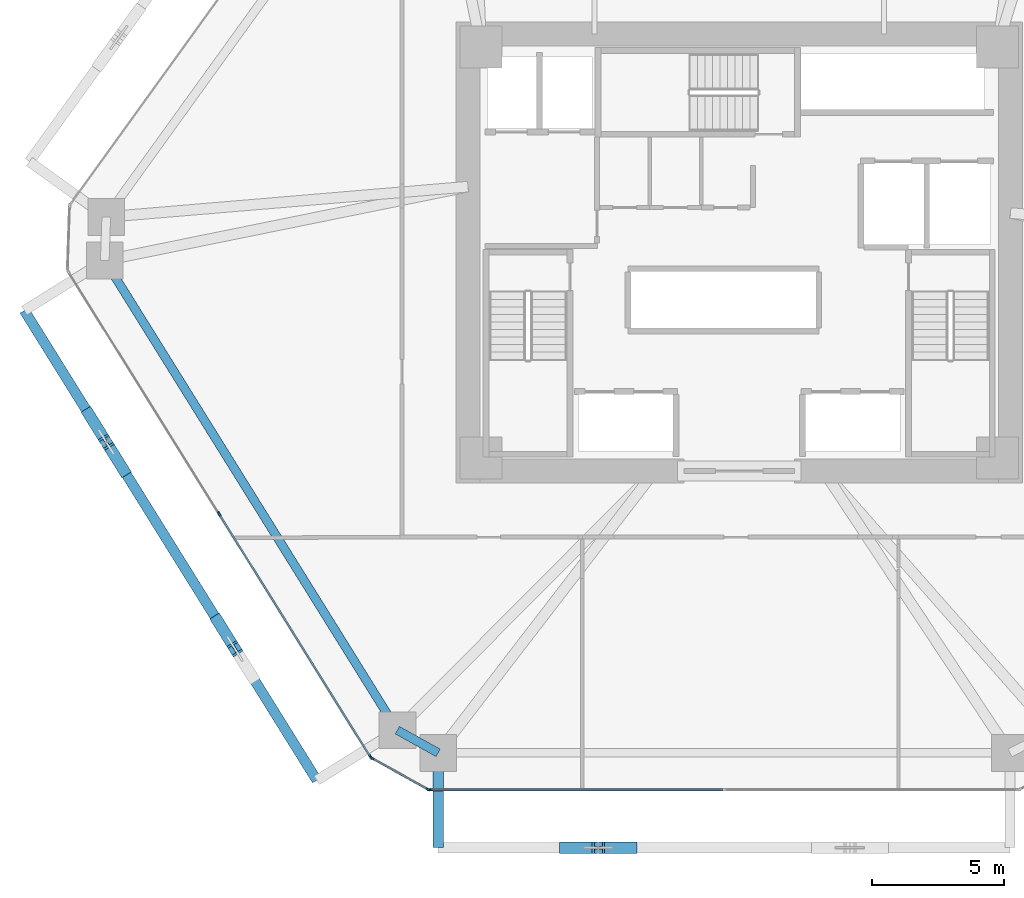
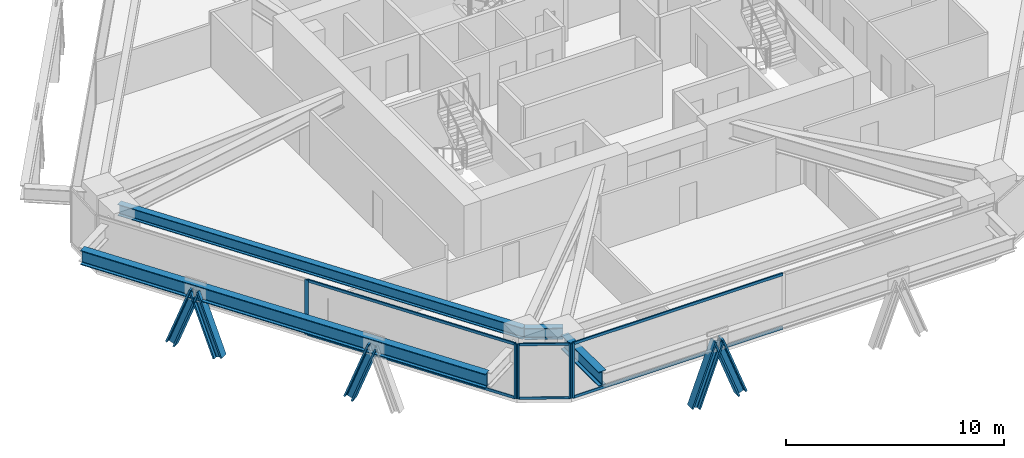
# One storey, part 2 of 16: 16 members, 4 beams, 3 elements without a shape of their own.
"""IFC4 building model written with IfcOpenShell, lengths in metres."""

from ifc_helpers import new_model, si_unit, direction, frame, origin, origin_2d, place, context, subcontext, project, spatial, rectangle, i_section, extrude, source, transform, mapped, material, layer, layer_set, material_profile, profile_set, type_object, type_shapes, element, aggregate, save


model = new_model("IFC4")

# Units and contexts
model_context = context("Model", 3, precision=1e-05, world=origin(), true_north=direction((0.0, 1.0)))
body_context = subcontext(model_context, "Body", "Model", "MODEL_VIEW")
ifc_project = project(units=[si_unit("LENGTHUNIT", "METRE"), si_unit("AREAUNIT", "SQUARE_METRE"), si_unit("VOLUMEUNIT", "CUBIC_METRE"), si_unit("PLANEANGLEUNIT", "RADIAN"), si_unit("MASSUNIT", "GRAM", prefix="KILO")], contexts=[model_context])

# Site, building, storey
site_placement = place(None, origin())
site = spatial("IfcSite", under=ifc_project, at=site_placement, CompositionType="ELEMENT")
building_placement = place(site_placement, origin())
building = spatial("IfcBuilding", under=site, at=building_placement, Name="Durnholm Broadcast Tower", CompositionType="ELEMENT")
storey_placement = place(building_placement, frame((0.0, 0.0, 65.39990234375)))
storey = spatial("IfcBuildingStorey", under=building, at=storey_placement, Name="L16", CompositionType="ELEMENT", Elevation=65.39990234375)

# Beams
ifc_material_1 = material(Name="Steel ASTM A992 Grade 50", Category="steel")
ifc_material_profile_1 = material_profile(ifc_material_1, i_section(OverallWidth=0.3291015625, OverallDepth=0.635009765625, WebThickness=0.017822265625, FlangeThickness=0.031005859375, FilletRadius=0.02783203125, at=origin_2d()), Name="W24X162")
ifc_profile_set_1 = profile_set([ifc_material_profile_1], Name="Steel ASTM A992 Grade 50")
beam_type_1 = type_object("IfcBeamType", Name="STL-SP-W24X162", PredefinedType="SPANDREL", material=ifc_profile_set_1)
shared_shape_1 = source(origin(), body_context, "Body", "SweptSolid", [
    extrude(i_section(OverallWidth=0.3291015625, OverallDepth=0.635009765625, WebThickness=0.017822265625, FlangeThickness=0.031005859375, FilletRadius=0.02783203125, at=origin_2d()), origin(), (0.0, 0.0, 1.0), 21.014404296875),
])
beam_1_placement = place(storey_placement, frame((-12.982666015625, -18.138427734375, 2.7275390625), z_axis=(-0.528595731543, 0.848873696491, 0.0), x_axis=(-0.848873696491, -0.528595731543, 0.0)))
element("IfcBeam", 1, at=beam_1_placement, inside=storey, type_object=beam_type_1, Name="L16 perimeter spandrel girder 01", PredefinedType="SPANDREL", context=body_context, shape_type="MappedRepresentation", body=[
    mapped(shared_shape_1, transform((0.0, 0.0, 0.0), x_axis=(1.0, 0.0, 0.0), y_axis=(0.0, 1.0, 0.0), z_axis=(0.0, 0.0, 1.0), scale=1.0)),
])
shared_shape_2 = source(origin(), body_context, "Body", "SweptSolid", [
    extrude(i_section(OverallWidth=0.3291015625, OverallDepth=0.635009765625, WebThickness=0.017822265625, FlangeThickness=0.031005859375, FilletRadius=0.02783203125, at=origin_2d()), origin(), (0.0, 0.0, 1.0), 1.774658203125),
])
type_shapes(beam_type_1, [shared_shape_1, shared_shape_2])
beam_2_placement = place(storey_placement, frame((-11.43115234375, -19.0, 2.7275390625), z_axis=(-0.874248107979, 0.485479397806, 0.0), x_axis=(-0.485479397806, -0.874248107979, 0.0)))
element("IfcBeam", 2, at=beam_2_placement, inside=storey, type_object=beam_type_1, Name="L16 perimeter spandrel girder 12", PredefinedType="SPANDREL", context=body_context, shape_type="MappedRepresentation", body=[
    mapped(shared_shape_2, transform((0.0, 0.0, 0.0), x_axis=(1.0, 0.0, 0.0), y_axis=(0.0, 1.0, 0.0), z_axis=(0.0, 0.0, 1.0), scale=1.0)),
])
ifc_material_profile_2 = material_profile(ifc_material_1, i_section(OverallWidth=0.385009765625, OverallDepth=0.802978515625, WebThickness=0.023681640625, FlangeThickness=0.0419921875, FilletRadius=0.032958984375, at=origin_2d()), Name="W30X261")
ifc_profile_set_2 = profile_set([ifc_material_profile_2], Name="Steel ASTM A992 Grade 50")
beam_type_2 = type_object("IfcBeamType", Name="BM-EXO-TIE", PredefinedType="USERDEFINED", material=ifc_profile_set_2)
shared_shape_3 = source(origin(), body_context, "Body", "SweptSolid", [
    extrude(i_section(OverallWidth=0.385009765625, OverallDepth=0.802978515625, WebThickness=0.023681640625, FlangeThickness=0.0419921875, FilletRadius=0.032958984375, at=origin_2d()), origin(), (0.0, 0.0, 1.0), 3.4560546875),
])
beam_3_placement = place(storey_placement, frame((-11.43115234375, -19.14404296875, 2.30859375), z_axis=(0.0, -1.0, 0.0), x_axis=(1.0, 0.0, 0.0)))
element("IfcBeam", 3, at=beam_3_placement, inside=storey, type_object=beam_type_2, Name="L16 exoskeleton stand-off tie bracket F1.1", ObjectType="GIRDER", PredefinedType="USERDEFINED", context=body_context, shape_type="MappedRepresentation", body=[
    mapped(shared_shape_3, transform((0.0, 0.0, 0.0), x_axis=(1.0, 0.0, 0.0), y_axis=(0.0, 1.0, 0.0), z_axis=(0.0, 0.0, 1.0), scale=1.0)),
])
shared_shape_4 = source(origin(), body_context, "Body", "SweptSolid", [
    extrude(i_section(OverallWidth=0.385009765625, OverallDepth=0.802978515625, WebThickness=0.023681640625, FlangeThickness=0.0419921875, FilletRadius=0.032958984375, at=origin_2d()), origin(), (0.0, 0.0, 1.0), 21.0146484375),
])
type_shapes(beam_type_2, [shared_shape_3, shared_shape_4])
beam_4_placement = place(storey_placement, frame((-27.146728515625, -2.20263671875, 2.30859375), z_axis=(0.528590518575, -0.848876942597, 0.0), x_axis=(0.848876942597, 0.528590518575, 0.0)))
element("IfcBeam", 4, at=beam_4_placement, inside=storey, type_object=beam_type_2, Name="L16 exoskeleton collector spandrel F6", PredefinedType="SPANDREL", context=body_context, shape_type="MappedRepresentation", body=[
    mapped(shared_shape_4, transform((0.0, 0.0, 0.0), x_axis=(1.0, 0.0, 0.0), y_axis=(0.0, 1.0, 0.0), z_axis=(0.0, 0.0, 1.0), scale=1.0)),
])

# Members
ifc_material_2 = material(Name="Steel ASTM A913 Grade 65", Category="steel")
ifc_material_profile_3 = material_profile(ifc_material_2, i_section(OverallWidth=0.43212890625, OverallDepth=0.497802734375, WebThickness=0.0556640625, FlangeThickness=0.0888671875, FilletRadius=0.030517578125, at=origin_2d()), Name="W14X500")
ifc_profile_set_3 = profile_set([ifc_material_profile_3], Name="Steel ASTM A913 Grade 65")
member_type_1 = type_object("IfcMemberType", Name="STL-DG-W14X500", PredefinedType="BRACE", material=ifc_profile_set_3)
shared_shape_5 = source(origin(), body_context, "Body", "SweptSolid", [
    extrude(i_section(OverallWidth=0.43212890625, OverallDepth=0.497802734375, WebThickness=0.0556640625, FlangeThickness=0.0888671875, FilletRadius=0.030517578125, at=origin_2d()), origin(), (0.0, 0.0, 1.0), 3.52294921875),
])
type_shapes(member_type_1, [shared_shape_5])
for number, where, z_axis, x_axis, name in (
    (5, (-6.585205078125, -22.60009765625, -0.9912109375), (0.350242321485, 0.0, 0.93665912489), (0.0, 1.0, 0.0), "L16 stand-off diagrid brace F1.D1.1"),
    (6, (-4.117431640625, -22.60009765625, -0.9912109375), (-0.350242321485, 0.0, 0.93665912489), (0.0, -1.0, 0.0), "L16 stand-off diagrid brace F1.D1.2"),
    (7, (-24.688720703125, -6.150146484375, -0.9912109375), (0.185169322747, -0.29729655486, 0.936657397548), (0.848819847179, 0.528682198523, 0.0), "L16 stand-off diagrid brace F6.D1.1"),
    (8, (-23.38427734375, -8.244873046875, -0.9912109375), (-0.185102397695, 0.297300369192, 0.936669414919), (-0.848908635391, -0.528539618911, 0.0), "L16 stand-off diagrid brace F6.D1.2"),
    (9, (-19.801025390625, -13.9990234375, -0.9912109375), (0.185102397695, -0.297300369192, 0.936669414919), (0.848908635391, 0.528539618911, 0.0), "L16 stand-off diagrid brace F6.D2.1"),
):
    element("IfcMember", number, at=place(storey_placement, frame(where, z_axis=z_axis, x_axis=x_axis)), inside=storey, type_object=member_type_1, Name=name, PredefinedType="BRACE", context=body_context, shape_type="MappedRepresentation", body=[
        mapped(shared_shape_5, transform((0.0, 0.0, 0.0), x_axis=(1.0, 0.0, 0.0), y_axis=(0.0, 1.0, 0.0), z_axis=(0.0, 0.0, 1.0), scale=1.0)),
    ])

# Curtain wall, members
ifc_material_3 = material(Name="Aluminium and Solar Control IGU", Category="aluminium")
ifc_layer_1 = layer(ifc_material_3, 0.1650390625)
ifc_layer_set_1 = layer_set([ifc_layer_1], Name="Aluminium and Solar Control IGU")
curtain_wall_type_1 = type_object("IfcCurtainWallType", Name="CW-SYS-5", PredefinedType="NOTDEFINED", material=ifc_layer_set_1)
curtain_wall_1_placement = place(storey_placement, origin())
curtain_wall_1 = element("IfcCurtainWall", 10, at=curtain_wall_1_placement, inside=storey, type_object=curtain_wall_type_1, Name="L16 curtain wall CW-CORNER CW-L16-CRN-11", PredefinedType="NOTDEFINED")
ifc_material_4 = material(Name="Aluminium 6063-T6", Category="aluminium")
ifc_material_profile_4 = material_profile(ifc_material_4, rectangle(XDim=0.06494140625, YDim=0.1650390625, at=origin_2d()), Name="CWM65X165")
ifc_profile_set_4 = profile_set([ifc_material_profile_4], Name="Aluminium 6063-T6")
member_type_2 = type_object("IfcMemberType", Name="CW-SYS-5-MUL", PredefinedType="MULLION", material=ifc_profile_set_4)
shared_shape_6 = source(origin(), body_context, "Body", "SweptSolid", [
    extrude(rectangle(XDim=0.06494140625, YDim=0.1650390625, at=origin_2d()), origin(), (0.0, 0.0, 1.0), 3.06005859375),
])
type_shapes(member_type_2, [shared_shape_6])
member_1_placement = place(storey_placement, frame((-11.822265625, -20.38427734375, 0.0), z_axis=(0.0, 0.0, 1.0), x_axis=(-0.485483299359, -0.874245941394, 0.0)))
member_1 = element("IfcMember", 11, at=member_1_placement, type_object=member_type_2, Name="CW-CORNER mullion 1", PredefinedType="MULLION", context=body_context, shape_type="MappedRepresentation", body=[
    mapped(shared_shape_6, transform((0.0, 0.0, 0.0), x_axis=(1.0, 0.0, 0.0), y_axis=(0.0, 1.0, 0.0), z_axis=(0.0, 0.0, 1.0), scale=1.0)),
])
member_2_placement = place(storey_placement, frame((-13.950927734375, -19.2021484375, 0.0), z_axis=(0.0, 0.0, 1.0), x_axis=(-0.485483299359, -0.874245941394, 0.0)))
member_2 = element("IfcMember", 12, at=member_2_placement, type_object=member_type_2, Name="CW-CORNER mullion 2", PredefinedType="MULLION", context=body_context, shape_type="MappedRepresentation", body=[
    mapped(shared_shape_6, transform((0.0, 0.0, 0.0), x_axis=(1.0, 0.0, 0.0), y_axis=(0.0, 1.0, 0.0), z_axis=(0.0, 0.0, 1.0), scale=1.0)),
])
ifc_material_profile_5 = material_profile(ifc_material_4, rectangle(XDim=0.06494140625, YDim=0.1298828125, at=origin_2d()), Name="CWT65X130")
ifc_profile_set_5 = profile_set([ifc_material_profile_5], Name="Aluminium 6063-T6")
member_type_3 = type_object("IfcMemberType", Name="CW-SYS-5-TRN", PredefinedType="USERDEFINED", material=ifc_profile_set_5)
shared_shape_7 = source(origin(), body_context, "Body", "SweptSolid", [
    extrude(rectangle(XDim=0.06494140625, YDim=0.1298828125, at=origin_2d()), origin(), (0.0, 0.0, 1.0), 2.3701171875),
])
type_shapes(member_type_3, [shared_shape_7])
member_3_placement = place(storey_placement, frame((-11.8505859375, -20.368408203125, 0.03271484375), z_axis=(-0.874244723151, 0.485485493132, 0.0), x_axis=(-0.485485493132, -0.874244723151, 0.0)))
member_3 = element("IfcMember", 13, at=member_3_placement, type_object=member_type_3, Name="CW-CORNER transom 1.1", ObjectType="TRANSOM", PredefinedType="USERDEFINED", context=body_context, shape_type="MappedRepresentation", body=[
    mapped(shared_shape_7, transform((0.0, 0.0, 0.0), x_axis=(1.0, 0.0, 0.0), y_axis=(0.0, 1.0, 0.0), z_axis=(0.0, 0.0, 1.0), scale=1.0)),
])
member_4_placement = place(storey_placement, frame((-11.8505859375, -20.368408203125, 3.027587890625), z_axis=(-0.874244723151, 0.485485493132, 0.0), x_axis=(-0.485485493132, -0.874244723151, 0.0)))
member_4 = element("IfcMember", 14, at=member_4_placement, type_object=member_type_3, Name="CW-CORNER transom 1.2", ObjectType="TRANSOM", PredefinedType="USERDEFINED", context=body_context, shape_type="MappedRepresentation", body=[
    mapped(shared_shape_7, transform((0.0, 0.0, 0.0), x_axis=(1.0, 0.0, 0.0), y_axis=(0.0, 1.0, 0.0), z_axis=(0.0, 0.0, 1.0), scale=1.0)),
])
aggregate(curtain_wall_1, [member_1, member_2, member_3, member_4])

# Curtain wall, member
ifc_layer_2 = layer(ifc_material_3, 0.18994140625)
ifc_layer_set_2 = layer_set([ifc_layer_2], Name="Aluminium and Solar Control IGU")
curtain_wall_type_2 = type_object("IfcCurtainWallType", Name="CW-SYS-3", PredefinedType="NOTDEFINED", material=ifc_layer_set_2)
curtain_wall_2_placement = place(storey_placement, origin())
curtain_wall_2 = element("IfcCurtainWall", 15, at=curtain_wall_2_placement, inside=storey, type_object=curtain_wall_type_2, Name="L16 curtain wall CW-Z12-VIS CW-L16-F10", PredefinedType="NOTDEFINED")
ifc_material_profile_6 = material_profile(ifc_material_4, rectangle(XDim=0.070068359375, YDim=0.18994140625, at=origin_2d()), Name="CWM70X190")
ifc_profile_set_6 = profile_set([ifc_material_profile_6], Name="Aluminium 6063-T6")
member_type_4 = type_object("IfcMemberType", Name="CW-SYS-3-MUL", PredefinedType="MULLION", material=ifc_profile_set_6)
shared_shape_8 = source(origin(), body_context, "Body", "SweptSolid", [
    extrude(rectangle(XDim=0.070068359375, YDim=0.18994140625, at=origin_2d()), origin(), (0.0, 0.0, 1.0), 3.06005859375),
])
type_shapes(member_type_4, [shared_shape_8])
member_5_placement = place(storey_placement, frame((-11.7587890625, -20.39990234375, 0.0), z_axis=(0.0, 0.0, 1.0), x_axis=(0.0, -1.0, 0.0)))
member_5 = element("IfcMember", 16, at=member_5_placement, type_object=member_type_4, Name="CW-Z12-VIS mullion 3", PredefinedType="MULLION", context=body_context, shape_type="MappedRepresentation", body=[
    mapped(shared_shape_8, transform((0.0, 0.0, 0.0), x_axis=(1.0, 0.0, 0.0), y_axis=(0.0, 1.0, 0.0), z_axis=(0.0, 0.0, 1.0), scale=1.0)),
])

# Curtain wall, members
curtain_wall_3_placement = place(storey_placement, origin())
curtain_wall_3 = element("IfcCurtainWall", 17, at=curtain_wall_3_placement, inside=storey, type_object=curtain_wall_type_2, Name="L16 curtain wall CW-Z12-VIS CW-L16-F12", PredefinedType="NOTDEFINED")
member_6_placement = place(storey_placement, frame((-13.997802734375, -19.156494140625, 0.0), z_axis=(0.0, 0.0, 1.0), x_axis=(-0.848875785503, -0.528592376777, 0.0)))
member_6 = element("IfcMember", 18, at=member_6_placement, type_object=member_type_4, Name="CW-Z12-VIS mullion 1", PredefinedType="MULLION", context=body_context, shape_type="MappedRepresentation", body=[
    mapped(shared_shape_8, transform((0.0, 0.0, 0.0), x_axis=(1.0, 0.0, 0.0), y_axis=(0.0, 1.0, 0.0), z_axis=(0.0, 0.0, 1.0), scale=1.0)),
])
member_7_placement = place(storey_placement, frame((-19.741943359375, -9.93212890625, 0.0), z_axis=(0.0, 0.0, 1.0), x_axis=(-0.848875785503, -0.528592376777, 0.0)))
member_7 = element("IfcMember", 19, at=member_7_placement, type_object=member_type_4, Name="CW-Z12-VIS mullion 2", PredefinedType="MULLION", context=body_context, shape_type="MappedRepresentation", body=[
    mapped(shared_shape_8, transform((0.0, 0.0, 0.0), x_axis=(1.0, 0.0, 0.0), y_axis=(0.0, 1.0, 0.0), z_axis=(0.0, 0.0, 1.0), scale=1.0)),
])
ifc_material_profile_7 = material_profile(ifc_material_4, rectangle(XDim=0.070068359375, YDim=0.14990234375, at=origin_2d()), Name="CWT70X150")
ifc_profile_set_7 = profile_set([ifc_material_profile_7], Name="Aluminium 6063-T6")
member_type_5 = type_object("IfcMemberType", Name="CW-SYS-3-TRN", PredefinedType="USERDEFINED", material=ifc_profile_set_7)
shared_shape_9 = source(origin(), body_context, "Body", "SweptSolid", [
    extrude(rectangle(XDim=0.070068359375, YDim=0.14990234375, at=origin_2d()), origin(), (0.0, 0.0, 1.0), 10.796630859375),
])
member_8_placement = place(storey_placement, frame((-14.016357421875, -19.126953125, 0.03515625), z_axis=(-0.528591657678, 0.848876233283, 0.0), x_axis=(-0.848876233283, -0.528591657678, 0.0)))
member_8 = element("IfcMember", 20, at=member_8_placement, type_object=member_type_5, Name="CW-Z12-VIS transom 1.1", ObjectType="TRANSOM", PredefinedType="USERDEFINED", context=body_context, shape_type="MappedRepresentation", body=[
    mapped(shared_shape_9, transform((0.0, 0.0, 0.0), x_axis=(1.0, 0.0, 0.0), y_axis=(0.0, 1.0, 0.0), z_axis=(0.0, 0.0, 1.0), scale=1.0)),
])
member_9_placement = place(storey_placement, frame((-14.016357421875, -19.126953125, 3.025146484375), z_axis=(-0.528591657678, 0.848876233283, 0.0), x_axis=(-0.848876233283, -0.528591657678, 0.0)))
member_9 = element("IfcMember", 21, at=member_9_placement, type_object=member_type_5, Name="CW-Z12-VIS transom 1.2", ObjectType="TRANSOM", PredefinedType="USERDEFINED", context=body_context, shape_type="MappedRepresentation", body=[
    mapped(shared_shape_9, transform((0.0, 0.0, 0.0), x_axis=(1.0, 0.0, 0.0), y_axis=(0.0, 1.0, 0.0), z_axis=(0.0, 0.0, 1.0), scale=1.0)),
])
aggregate(curtain_wall_3, [member_6, member_7, member_8, member_9])

# Member
shared_shape_10 = source(origin(), body_context, "Body", "SweptSolid", [
    extrude(rectangle(XDim=0.070068359375, YDim=0.14990234375, at=origin_2d()), origin(), (0.0, 0.0, 1.0), 11.10205078125),
])
type_shapes(member_type_5, [shared_shape_9, shared_shape_10])
member_10_placement = place(storey_placement, frame((-0.621826171875, -20.39990234375, 0.03515625), z_axis=(-1.0, 0.0, 0.0), x_axis=(0.0, -1.0, 0.0)))
member_10 = element("IfcMember", 22, at=member_10_placement, type_object=member_type_5, Name="CW-Z12-VIS transom 2.1", ObjectType="TRANSOM", PredefinedType="USERDEFINED", context=body_context, shape_type="MappedRepresentation", body=[
    mapped(shared_shape_10, transform((0.0, 0.0, 0.0), x_axis=(1.0, 0.0, 0.0), y_axis=(0.0, 1.0, 0.0), z_axis=(0.0, 0.0, 1.0), scale=1.0)),
])

member_11_placement = place(storey_placement, frame((-0.621826171875, -20.39990234375, 3.025146484375), z_axis=(-1.0, 0.0, 0.0), x_axis=(0.0, -1.0, 0.0)))
member_11 = element("IfcMember", 23, at=member_11_placement, type_object=member_type_5, Name="CW-Z12-VIS transom 2.2", ObjectType="TRANSOM", PredefinedType="USERDEFINED", context=body_context, shape_type="MappedRepresentation", body=[
    mapped(shared_shape_10, transform((0.0, 0.0, 0.0), x_axis=(1.0, 0.0, 0.0), y_axis=(0.0, 1.0, 0.0), z_axis=(0.0, 0.0, 1.0), scale=1.0)),
])

aggregate(curtain_wall_2, [member_5, member_10, member_11])

save(model, "model.ifc")
